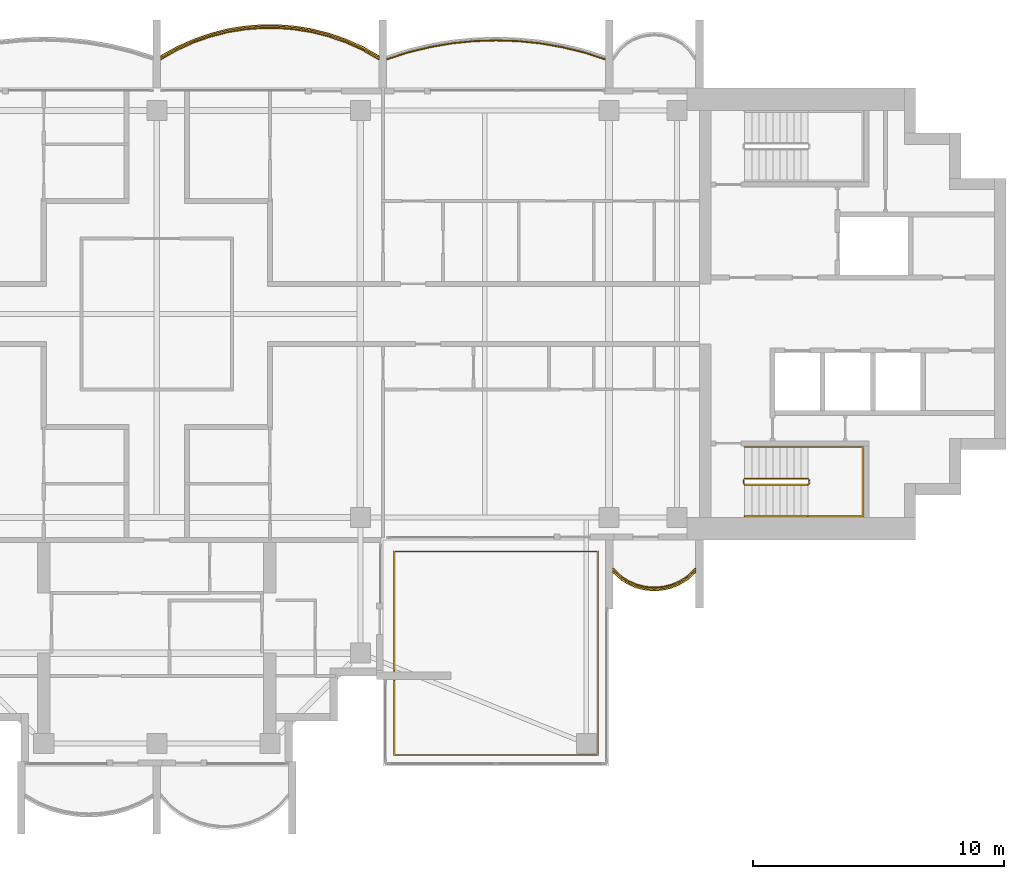
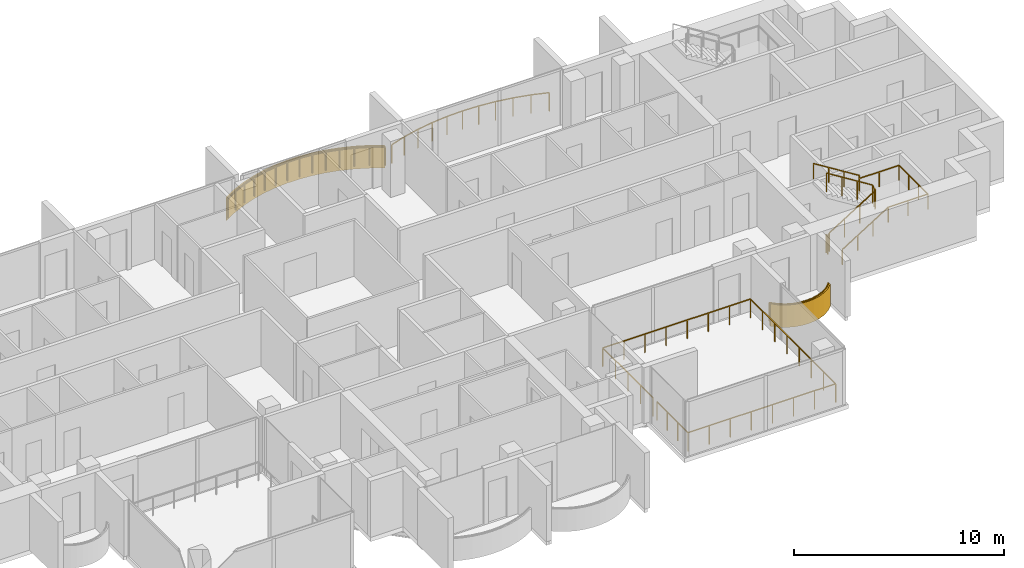
# One storey, part 15 of 16: 6 railings, 2 coverings.
"""IFC4 building model written with IfcOpenShell, lengths in metres."""

from ifc_helpers import new_model, si_unit, direction, frame, origin, origin_2d, place, context, subcontext, project, spatial, polyline, rectangle, outline, extrude, material, layer, layer_set, type_object, element, save


model = new_model("IFC4")

# Units and contexts
model_context = context("Model", 3, precision=1e-05, world=origin(), true_north=direction((0.0, 1.0)))
body_context = subcontext(model_context, "Body", "Model", "MODEL_VIEW")
ifc_project = project(units=[si_unit("LENGTHUNIT", "METRE"), si_unit("AREAUNIT", "SQUARE_METRE"), si_unit("VOLUMEUNIT", "CUBIC_METRE"), si_unit("PLANEANGLEUNIT", "RADIAN"), si_unit("MASSUNIT", "GRAM", prefix="KILO")], contexts=[model_context])

# Site, building, storey
site_placement = place(None, origin())
site = spatial("IfcSite", under=ifc_project, at=site_placement, CompositionType="ELEMENT")
building_placement = place(site_placement, origin())
building = spatial("IfcBuilding", under=site, at=building_placement, Name="Perihelion Cross Residences", CompositionType="ELEMENT")
storey_placement = place(building_placement, frame((0.0, 0.0, 236.0)))
storey = spatial("IfcBuildingStorey", under=building, at=storey_placement, Name="L59", CompositionType="ELEMENT", Elevation=236.0)

# Coverings
ifc_material_1 = material(Name="Bronze anodised aluminium", Category="aluminium")
ifc_layer = layer(ifc_material_1, 0.070068359375)
ifc_layer_set = layer_set([ifc_layer], Name="Balcony fascia 1300")
covering_type = type_object("IfcCoveringType", Name="Balcony fascia 1300", PredefinedType="CLADDING", material=ifc_layer_set)
covering_1_placement = place(storey_placement, frame((0.0, 0.0, -0.199951171875)))
element("IfcCovering", 1, at=covering_1_placement, inside=storey, type_object=covering_type, Name="Fascia BF1 L59 north side east bay 1", PredefinedType="CLADDING", context=body_context, shape_type="SweptSolid", body=[
    extrude(outline(polyline([(8.212158203125, 10.63916015625), (7.537353515625, 10.941650390625), (6.8623046875, 11.175048828125), (6.1875, 11.345947265625), (5.512451171875, 11.457763671875), (4.83740234375, 11.51318359375), (4.16259765625, 11.51318359375), (3.487548828125, 11.457763671875), (2.8125, 11.345947265625), (2.1376953125, 11.175048828125), (1.462646484375, 10.941650390625), (0.787841796875, 10.63916015625), (0.14990234375, 10.2802734375), (0.14990234375, 10.199951171875), (0.8193359375, 10.57666015625), (1.488525390625, 10.87646484375), (2.15771484375, 11.108154296875), (2.826904296875, 11.27734375), (3.49609375, 11.38818359375), (4.165283203125, 11.443115234375), (4.834716796875, 11.443115234375), (5.50390625, 11.38818359375), (6.173095703125, 11.27734375), (6.84228515625, 11.108154296875), (7.511474609375, 10.87646484375), (8.1806640625, 10.57666015625), (8.85009765625, 10.199951171875), (8.85009765625, 10.2802734375), (8.212158203125, 10.63916015625)])), origin(), (0.0, 0.0, 1.0), 1.300048828125),
])
covering_2_placement = place(storey_placement, frame((0.0, 0.0, -0.199951171875)))
element("IfcCovering", 2, at=covering_2_placement, inside=storey, type_object=covering_type, Name="Fascia BF1 L59 east side south bay 2", PredefinedType="CLADDING", context=body_context, shape_type="SweptSolid", body=[
    extrude(outline(polyline([(18.4375, -10.56298828125), (18.778076171875, -10.77587890625), (19.11865234375, -10.914794921875), (19.45947265625, -10.994140625), (19.800048828125, -11.02001953125), (20.140625, -10.994140625), (20.481201171875, -10.914794921875), (20.82177734375, -10.77587890625), (21.16259765625, -10.56298828125), (21.449951171875, -10.295654296875), (21.449951171875, -10.199951171875), (21.1201171875, -10.507568359375), (20.7900390625, -10.71337890625), (20.4599609375, -10.84814453125), (20.1298828125, -10.925048828125), (19.800048828125, -10.949951171875), (19.469970703125, -10.925048828125), (19.139892578125, -10.84814453125), (18.81005859375, -10.71337890625), (18.47998046875, -10.507568359375), (18.14990234375, -10.199951171875), (18.14990234375, -10.295654296875), (18.4375, -10.56298828125)])), origin(), (0.0, 0.0, 1.0), 1.300048828125),
])

# Railings
ifc_material_2 = material(Name="Bronze anodised aluminium", Category="aluminium")
railing_type_1 = type_object("IfcRailingType", Name="Balcony guard 1100", PredefinedType="GUARDRAIL", material=ifc_material_2)
railing_1_placement = place(storey_placement, frame((17.824951171875, 10.139892578125, 0.0)))
element("IfcRailing", 3, at=railing_1_placement, inside=storey, type_object=railing_type_1, Name="Guard GU1 L59 east side north bay 2 balcony", PredefinedType="GUARDRAIL", context=body_context, shape_type="SweptSolid", body=[
    extrude(rectangle(XDim=0.048095703125, YDim=0.048095703125, at=origin_2d()), frame((0.0, 0.0, 1.076171875), z_axis=(-0.950777354264, 0.30987484993, 0.0), x_axis=(-0.30987484993, -0.950777354264, 0.0)), (0.0, 0.0, 1.0), 0.888671875),
    extrude(rectangle(XDim=0.048095703125, YDim=0.048095703125, at=origin_2d()), frame((-0.844970703125, 0.275390625, 1.076171875), z_axis=(-0.972146551129, 0.234373810671, 0.0), x_axis=(-0.234373810671, -0.972146551129, 0.0)), (0.0, 0.0, 1.0), 0.894775390625),
    extrude(rectangle(XDim=0.048095703125, YDim=0.048095703125, at=origin_2d()), frame((-1.71484375, 0.485107421875, 1.076171875), z_axis=(-0.985850361727, 0.167627755108, 0.0), x_axis=(-0.167627755108, -0.985850361727, 0.0)), (0.0, 0.0, 1.0), 0.882568359375),
    extrude(rectangle(XDim=0.048095703125, YDim=0.048095703125, at=origin_2d()), frame((-2.5849609375, 0.633056640625, 1.076171875), z_axis=(-0.994934368303, 0.100526627165, 0.0), x_axis=(-0.100526627165, -0.994934368303, 0.0)), (0.0, 0.0, 1.0), 0.874267578125),
    extrude(rectangle(XDim=0.048095703125, YDim=0.048095703125, at=origin_2d()), frame((-3.454833984375, 0.720947265625, 1.076171875), z_axis=(-0.999443037968, 0.0333708534, 0.0), x_axis=(-0.0333708534, -0.999443037968, 0.0)), (0.0, 0.0, 1.0), 0.87060546875),
    extrude(rectangle(XDim=0.048095703125, YDim=0.048095703125, at=origin_2d()), frame((-4.324951171875, 0.75, 1.076171875), z_axis=(-0.999443037968, -0.0333708534, 0.0), x_axis=(0.0333708534, -0.999443037968, 0.0)), (0.0, 0.0, 1.0), 0.87060546875),
    extrude(rectangle(XDim=0.048095703125, YDim=0.048095703125, at=origin_2d()), frame((-5.195068359375, 0.720947265625, 1.076171875), z_axis=(-0.994934368303, -0.100526627165, 0.0), x_axis=(0.100526627165, -0.994934368303, 0.0)), (0.0, 0.0, 1.0), 0.874267578125),
    extrude(rectangle(XDim=0.048095703125, YDim=0.048095703125, at=origin_2d()), frame((-6.06494140625, 0.633056640625, 1.076171875), z_axis=(-0.985850361727, -0.167627755108, 0.0), x_axis=(0.167627755108, -0.985850361727, 0.0)), (0.0, 0.0, 1.0), 0.882568359375),
    extrude(rectangle(XDim=0.048095703125, YDim=0.048095703125, at=origin_2d()), frame((-6.93505859375, 0.485107421875, 1.076171875), z_axis=(-0.972146551129, -0.234373810671, 0.0), x_axis=(0.234373810671, -0.972146551129, 0.0)), (0.0, 0.0, 1.0), 0.894775390625),
    extrude(rectangle(XDim=0.048095703125, YDim=0.048095703125, at=origin_2d()), frame((-7.804931640625, 0.275390625, 1.076171875), z_axis=(-0.950777354264, -0.30987484993, 0.0), x_axis=(0.30987484993, -0.950777354264, 0.0)), (0.0, 0.0, 1.0), 0.888671875),
    extrude(rectangle(XDim=0.0419921875, YDim=0.0419921875, at=origin_2d()), origin(), (0.0, 0.0, 1.0), 1.052001953125),
    extrude(rectangle(XDim=0.0419921875, YDim=0.0419921875, at=origin_2d()), frame((-0.844970703125, 0.275390625, 0.0)), (0.0, 0.0, 1.0), 1.052001953125),
    extrude(rectangle(XDim=0.0419921875, YDim=0.0419921875, at=origin_2d()), frame((-1.71484375, 0.485107421875, 0.0)), (0.0, 0.0, 1.0), 1.052001953125),
    extrude(rectangle(XDim=0.0419921875, YDim=0.0419921875, at=origin_2d()), frame((-2.5849609375, 0.633056640625, 0.0)), (0.0, 0.0, 1.0), 1.052001953125),
    extrude(rectangle(XDim=0.0419921875, YDim=0.0419921875, at=origin_2d()), frame((-3.454833984375, 0.720947265625, 0.0)), (0.0, 0.0, 1.0), 1.052001953125),
    extrude(rectangle(XDim=0.0419921875, YDim=0.0419921875, at=origin_2d()), frame((-4.324951171875, 0.75, 0.0)), (0.0, 0.0, 1.0), 1.052001953125),
    extrude(rectangle(XDim=0.0419921875, YDim=0.0419921875, at=origin_2d()), frame((-5.195068359375, 0.720947265625, 0.0)), (0.0, 0.0, 1.0), 1.052001953125),
    extrude(rectangle(XDim=0.0419921875, YDim=0.0419921875, at=origin_2d()), frame((-6.06494140625, 0.633056640625, 0.0)), (0.0, 0.0, 1.0), 1.052001953125),
    extrude(rectangle(XDim=0.0419921875, YDim=0.0419921875, at=origin_2d()), frame((-6.93505859375, 0.485107421875, 0.0)), (0.0, 0.0, 1.0), 1.052001953125),
    extrude(rectangle(XDim=0.0419921875, YDim=0.0419921875, at=origin_2d()), frame((-7.804931640625, 0.275390625, 0.0)), (0.0, 0.0, 1.0), 1.052001953125),
    extrude(rectangle(XDim=0.0419921875, YDim=0.0419921875, at=origin_2d()), frame((-8.64990234375, 0.0, 0.0)), (0.0, 0.0, 1.0), 1.052001953125),
])
railing_2_placement = place(storey_placement, frame((8.824951171875, 10.139892578125, 0.0)))
element("IfcRailing", 4, at=railing_2_placement, inside=storey, type_object=railing_type_1, Name="Guard GU1 L59 north side east bay 1 balcony", PredefinedType="GUARDRAIL", context=body_context, shape_type="SweptSolid", body=[
    extrude(rectangle(XDim=0.048095703125, YDim=0.048095703125, at=origin_2d()), frame((0.0, 0.0, 1.076171875), z_axis=(-0.863125740505, 0.504989065305, 0.0), x_axis=(-0.504989065305, -0.863125740505, 0.0)), (0.0, 0.0, 1.0), 0.746337890625),
    extrude(rectangle(XDim=0.048095703125, YDim=0.048095703125, at=origin_2d()), frame((-0.644287109375, 0.376953125, 1.076171875), z_axis=(-0.912723499295, 0.408577794103, 0.0), x_axis=(-0.408577794103, -0.912723499295, 0.0)), (0.0, 0.0, 1.0), 0.733154296875),
    extrude(rectangle(XDim=0.048095703125, YDim=0.048095703125, at=origin_2d()), frame((-1.3134765625, 0.676513671875, 1.076171875), z_axis=(-0.944965577734, 0.327169767701, 0.0), x_axis=(-0.327169767701, -0.944965577734, 0.0)), (0.0, 0.0, 1.0), 0.708251953125),
    extrude(rectangle(XDim=0.048095703125, YDim=0.048095703125, at=origin_2d()), frame((-1.982666015625, 0.908203125, 1.076171875), z_axis=(-0.96949408574, 0.245114703181, 0.0), x_axis=(-0.245114703181, -0.96949408574, 0.0)), (0.0, 0.0, 1.0), 0.690185546875),
    extrude(rectangle(XDim=0.048095703125, YDim=0.048095703125, at=origin_2d()), frame((-2.65185546875, 1.077392578125, 1.076171875), z_axis=(-0.986500713816, 0.163756959061, 0.0), x_axis=(-0.163756959061, -0.986500713816, 0.0)), (0.0, 0.0, 1.0), 0.678466796875),
    extrude(rectangle(XDim=0.048095703125, YDim=0.048095703125, at=origin_2d()), frame((-3.321044921875, 1.1884765625, 1.076171875), z_axis=(-0.996677390684, 0.081450468994, 0.0), x_axis=(-0.081450468994, -0.996677390684, 0.0)), (0.0, 0.0, 1.0), 0.67138671875),
    extrude(rectangle(XDim=0.048095703125, YDim=0.048095703125, at=origin_2d()), frame((-3.990234375, 1.2431640625, 1.076171875), z_axis=(-1.0, 0.0, 0.0), x_axis=(0.0, -1.0, 0.0)), (0.0, 0.0, 1.0), 0.66943359375),
    extrude(rectangle(XDim=0.048095703125, YDim=0.048095703125, at=origin_2d()), frame((-4.65966796875, 1.2431640625, 1.076171875), z_axis=(-0.996677390684, -0.081450468994, 0.0), x_axis=(0.081450468994, -0.996677390684, 0.0)), (0.0, 0.0, 1.0), 0.67138671875),
    extrude(rectangle(XDim=0.048095703125, YDim=0.048095703125, at=origin_2d()), frame((-5.328857421875, 1.1884765625, 1.076171875), z_axis=(-0.986500713816, -0.163756959061, 0.0), x_axis=(0.163756959061, -0.986500713816, 0.0)), (0.0, 0.0, 1.0), 0.678466796875),
    extrude(rectangle(XDim=0.048095703125, YDim=0.048095703125, at=origin_2d()), frame((-5.998046875, 1.077392578125, 1.076171875), z_axis=(-0.96949408574, -0.245114703181, 0.0), x_axis=(0.245114703181, -0.96949408574, 0.0)), (0.0, 0.0, 1.0), 0.690185546875),
    extrude(rectangle(XDim=0.048095703125, YDim=0.048095703125, at=origin_2d()), frame((-6.667236328125, 0.908203125, 1.076171875), z_axis=(-0.944965577734, -0.327169767701, 0.0), x_axis=(0.327169767701, -0.944965577734, 0.0)), (0.0, 0.0, 1.0), 0.708251953125),
    extrude(rectangle(XDim=0.048095703125, YDim=0.048095703125, at=origin_2d()), frame((-7.33642578125, 0.676513671875, 1.076171875), z_axis=(-0.912723499295, -0.408577794103, 0.0), x_axis=(0.408577794103, -0.912723499295, 0.0)), (0.0, 0.0, 1.0), 0.733154296875),
    extrude(rectangle(XDim=0.048095703125, YDim=0.048095703125, at=origin_2d()), frame((-8.005615234375, 0.376953125, 1.076171875), z_axis=(-0.863125740505, -0.504989065305, 0.0), x_axis=(0.504989065305, -0.863125740505, 0.0)), (0.0, 0.0, 1.0), 0.746337890625),
    extrude(rectangle(XDim=0.0419921875, YDim=0.0419921875, at=origin_2d()), origin(), (0.0, 0.0, 1.0), 1.052001953125),
    extrude(rectangle(XDim=0.0419921875, YDim=0.0419921875, at=origin_2d()), frame((-0.644287109375, 0.376953125, 0.0)), (0.0, 0.0, 1.0), 1.052001953125),
    extrude(rectangle(XDim=0.0419921875, YDim=0.0419921875, at=origin_2d()), frame((-1.3134765625, 0.676513671875, 0.0)), (0.0, 0.0, 1.0), 1.052001953125),
    extrude(rectangle(XDim=0.0419921875, YDim=0.0419921875, at=origin_2d()), frame((-1.982666015625, 0.908203125, 0.0)), (0.0, 0.0, 1.0), 1.052001953125),
    extrude(rectangle(XDim=0.0419921875, YDim=0.0419921875, at=origin_2d()), frame((-2.65185546875, 1.077392578125, 0.0)), (0.0, 0.0, 1.0), 1.052001953125),
    extrude(rectangle(XDim=0.0419921875, YDim=0.0419921875, at=origin_2d()), frame((-3.321044921875, 1.1884765625, 0.0)), (0.0, 0.0, 1.0), 1.052001953125),
    extrude(rectangle(XDim=0.0419921875, YDim=0.0419921875, at=origin_2d()), frame((-3.990234375, 1.2431640625, 0.0)), (0.0, 0.0, 1.0), 1.052001953125),
    extrude(rectangle(XDim=0.0419921875, YDim=0.0419921875, at=origin_2d()), frame((-4.65966796875, 1.2431640625, 0.0)), (0.0, 0.0, 1.0), 1.052001953125),
    extrude(rectangle(XDim=0.0419921875, YDim=0.0419921875, at=origin_2d()), frame((-5.328857421875, 1.1884765625, 0.0)), (0.0, 0.0, 1.0), 1.052001953125),
    extrude(rectangle(XDim=0.0419921875, YDim=0.0419921875, at=origin_2d()), frame((-5.998046875, 1.077392578125, 0.0)), (0.0, 0.0, 1.0), 1.052001953125),
    extrude(rectangle(XDim=0.0419921875, YDim=0.0419921875, at=origin_2d()), frame((-6.667236328125, 0.908203125, 0.0)), (0.0, 0.0, 1.0), 1.052001953125),
    extrude(rectangle(XDim=0.0419921875, YDim=0.0419921875, at=origin_2d()), frame((-7.33642578125, 0.676513671875, 0.0)), (0.0, 0.0, 1.0), 1.052001953125),
    extrude(rectangle(XDim=0.0419921875, YDim=0.0419921875, at=origin_2d()), frame((-8.005615234375, 0.376953125, 0.0)), (0.0, 0.0, 1.0), 1.052001953125),
    extrude(rectangle(XDim=0.0419921875, YDim=0.0419921875, at=origin_2d()), frame((-8.64990234375, 0.0, 0.0)), (0.0, 0.0, 1.0), 1.052001953125),
])
railing_3_placement = place(storey_placement, frame((18.175048828125, -10.139892578125, 0.0)))
element("IfcRailing", 5, at=railing_3_placement, inside=storey, type_object=railing_type_1, Name="Guard GU1 L59 east side south bay 2 balcony", PredefinedType="GUARDRAIL", context=body_context, shape_type="SweptSolid", body=[
    extrude(rectangle(XDim=0.048095703125, YDim=0.048095703125, at=origin_2d()), frame((0.0, 0.0, 1.076171875), z_axis=(0.703999905859, -0.710200065158, 0.0), x_axis=(0.710200065158, 0.703999905859, 0.0)), (0.0, 0.0, 1.0), 0.43310546875),
    extrude(rectangle(XDim=0.048095703125, YDim=0.048095703125, at=origin_2d()), frame((0.304931640625, -0.3076171875, 1.076171875), z_axis=(0.848280173265, -0.529547682127, 0.0), x_axis=(0.529547682127, 0.848280173265, 0.0)), (0.0, 0.0, 1.0), 0.38916015625),
    extrude(rectangle(XDim=0.048095703125, YDim=0.048095703125, at=origin_2d()), frame((0.635009765625, -0.513671875, 1.076171875), z_axis=(0.925950379976, -0.377645195682, 0.0), x_axis=(0.377645195682, 0.925950379976, 0.0)), (0.0, 0.0, 1.0), 0.356201171875),
    extrude(rectangle(XDim=0.048095703125, YDim=0.048095703125, at=origin_2d()), frame((0.96484375, -0.648193359375, 1.076171875), z_axis=(0.97391554583, -0.226910796551, 0.0), x_axis=(0.226910796551, 0.97391554583, 0.0)), (0.0, 0.0, 1.0), 0.3388671875),
    extrude(rectangle(XDim=0.048095703125, YDim=0.048095703125, at=origin_2d()), frame((1.294921875, -0.72509765625, 1.076171875), z_axis=(0.997166208737, -0.075229995038, 0.0), x_axis=(0.075229995038, 0.997166208737, 0.0)), (0.0, 0.0, 1.0), 0.3310546875),
    extrude(rectangle(XDim=0.048095703125, YDim=0.048095703125, at=origin_2d()), frame((1.625, -0.75, 1.076171875), z_axis=(0.997162029931, 0.075285364214, 0.0), x_axis=(-0.075285364214, 0.997162029931, 0.0)), (0.0, 0.0, 1.0), 0.330810546875),
    extrude(rectangle(XDim=0.048095703125, YDim=0.048095703125, at=origin_2d()), frame((1.954833984375, -0.72509765625, 1.076171875), z_axis=(0.97391554583, 0.226910796551, 0.0), x_axis=(-0.226910796551, 0.97391554583, 0.0)), (0.0, 0.0, 1.0), 0.3388671875),
    extrude(rectangle(XDim=0.048095703125, YDim=0.048095703125, at=origin_2d()), frame((2.284912109375, -0.648193359375, 1.076171875), z_axis=(0.926048033295, 0.377405670374, 0.0), x_axis=(-0.377405670374, 0.926048033295, 0.0)), (0.0, 0.0, 1.0), 0.3564453125),
    extrude(rectangle(XDim=0.048095703125, YDim=0.048095703125, at=origin_2d()), frame((2.614990234375, -0.513671875, 1.076171875), z_axis=(0.848280173265, 0.529547682127, 0.0), x_axis=(-0.529547682127, 0.848280173265, 0.0)), (0.0, 0.0, 1.0), 0.38916015625),
    extrude(rectangle(XDim=0.048095703125, YDim=0.048095703125, at=origin_2d()), frame((2.945068359375, -0.3076171875, 1.076171875), z_axis=(0.703999905859, 0.710200065158, 0.0), x_axis=(-0.710200065158, 0.703999905859, 0.0)), (0.0, 0.0, 1.0), 0.43310546875),
    extrude(rectangle(XDim=0.0419921875, YDim=0.0419921875, at=origin_2d()), origin(), (0.0, 0.0, 1.0), 1.052001953125),
    extrude(rectangle(XDim=0.0419921875, YDim=0.0419921875, at=origin_2d()), frame((0.304931640625, -0.3076171875, 0.0)), (0.0, 0.0, 1.0), 1.052001953125),
    extrude(rectangle(XDim=0.0419921875, YDim=0.0419921875, at=origin_2d()), frame((0.635009765625, -0.513671875, 0.0)), (0.0, 0.0, 1.0), 1.052001953125),
    extrude(rectangle(XDim=0.0419921875, YDim=0.0419921875, at=origin_2d()), frame((0.96484375, -0.648193359375, 0.0)), (0.0, 0.0, 1.0), 1.052001953125),
    extrude(rectangle(XDim=0.0419921875, YDim=0.0419921875, at=origin_2d()), frame((1.294921875, -0.72509765625, 0.0)), (0.0, 0.0, 1.0), 1.052001953125),
    extrude(rectangle(XDim=0.0419921875, YDim=0.0419921875, at=origin_2d()), frame((1.625, -0.75, 0.0)), (0.0, 0.0, 1.0), 1.052001953125),
    extrude(rectangle(XDim=0.0419921875, YDim=0.0419921875, at=origin_2d()), frame((1.954833984375, -0.72509765625, 0.0)), (0.0, 0.0, 1.0), 1.052001953125),
    extrude(rectangle(XDim=0.0419921875, YDim=0.0419921875, at=origin_2d()), frame((2.284912109375, -0.648193359375, 0.0)), (0.0, 0.0, 1.0), 1.052001953125),
    extrude(rectangle(XDim=0.0419921875, YDim=0.0419921875, at=origin_2d()), frame((2.614990234375, -0.513671875, 0.0)), (0.0, 0.0, 1.0), 1.052001953125),
    extrude(rectangle(XDim=0.0419921875, YDim=0.0419921875, at=origin_2d()), frame((2.945068359375, -0.3076171875, 0.0)), (0.0, 0.0, 1.0), 1.052001953125),
    extrude(rectangle(XDim=0.0419921875, YDim=0.0419921875, at=origin_2d()), frame((3.25, 0.0, 0.0)), (0.0, 0.0, 1.0), 1.052001953125),
])
railing_4_placement = place(storey_placement, frame((9.449951171875, -14.2099609375, 0.0)))
element("IfcRailing", 6, at=railing_4_placement, inside=storey, type_object=railing_type_1, Name="Guard GU1 L59 pocket south-east 1", PredefinedType="GUARDRAIL", context=body_context, shape_type="SweptSolid", body=[
    extrude(rectangle(XDim=0.048095703125, YDim=0.048095703125, at=origin_2d()), frame((0.0, 0.0, 1.076171875), z_axis=(0.0, 1.0, 0.0), x_axis=(-1.0, 0.0, 0.0)), (0.0, 0.0, 1.0), 4.760009765625),
    extrude(rectangle(XDim=0.048095703125, YDim=0.048095703125, at=origin_2d()), frame((0.0, 4.760009765625, 1.076171875), z_axis=(1.0, 0.0, 0.0), x_axis=(0.0, 1.0, 0.0)), (0.0, 0.0, 1.0), 8.10009765625),
    extrude(rectangle(XDim=0.048095703125, YDim=0.048095703125, at=origin_2d()), frame((8.10009765625, 4.760009765625, 1.076171875), z_axis=(0.0, -1.0, 0.0), x_axis=(1.0, 0.0, 0.0)), (0.0, 0.0, 1.0), 8.10009765625),
    extrude(rectangle(XDim=0.048095703125, YDim=0.048095703125, at=origin_2d()), frame((8.10009765625, -3.340087890625, 1.076171875), z_axis=(-1.0, 0.0, 0.0), x_axis=(0.0, -1.0, 0.0)), (0.0, 0.0, 1.0), 8.10009765625),
    extrude(rectangle(XDim=0.048095703125, YDim=0.048095703125, at=origin_2d()), frame((0.0, -3.340087890625, 1.076171875), z_axis=(0.0, 1.0, 0.0), x_axis=(-1.0, 0.0, 0.0)), (0.0, 0.0, 1.0), 2.9599609375),
    extrude(rectangle(XDim=0.0419921875, YDim=0.0419921875, at=origin_2d()), origin(), (0.0, 0.0, 1.0), 1.052001953125),
    extrude(rectangle(XDim=0.0419921875, YDim=0.0419921875, at=origin_2d()), frame((0.0, 1.18994140625, 0.0)), (0.0, 0.0, 1.0), 1.052001953125),
    extrude(rectangle(XDim=0.0419921875, YDim=0.0419921875, at=origin_2d()), frame((0.0, 2.3798828125, 0.0)), (0.0, 0.0, 1.0), 1.052001953125),
    extrude(rectangle(XDim=0.0419921875, YDim=0.0419921875, at=origin_2d()), frame((0.0, 3.570068359375, 0.0)), (0.0, 0.0, 1.0), 1.052001953125),
    extrude(rectangle(XDim=0.0419921875, YDim=0.0419921875, at=origin_2d()), frame((0.0, 4.760009765625, 0.0)), (0.0, 0.0, 1.0), 1.052001953125),
    extrude(rectangle(XDim=0.0419921875, YDim=0.0419921875, at=origin_2d()), frame((1.1572265625, 4.760009765625, 0.0)), (0.0, 0.0, 1.0), 1.052001953125),
    extrude(rectangle(XDim=0.0419921875, YDim=0.0419921875, at=origin_2d()), frame((2.314208984375, 4.760009765625, 0.0)), (0.0, 0.0, 1.0), 1.052001953125),
    extrude(rectangle(XDim=0.0419921875, YDim=0.0419921875, at=origin_2d()), frame((3.471435546875, 4.760009765625, 0.0)), (0.0, 0.0, 1.0), 1.052001953125),
    extrude(rectangle(XDim=0.0419921875, YDim=0.0419921875, at=origin_2d()), frame((4.628662109375, 4.760009765625, 0.0)), (0.0, 0.0, 1.0), 1.052001953125),
    extrude(rectangle(XDim=0.0419921875, YDim=0.0419921875, at=origin_2d()), frame((5.785888671875, 4.760009765625, 0.0)), (0.0, 0.0, 1.0), 1.052001953125),
    extrude(rectangle(XDim=0.0419921875, YDim=0.0419921875, at=origin_2d()), frame((6.94287109375, 4.760009765625, 0.0)), (0.0, 0.0, 1.0), 1.052001953125),
    extrude(rectangle(XDim=0.0419921875, YDim=0.0419921875, at=origin_2d()), frame((8.10009765625, 4.760009765625, 0.0)), (0.0, 0.0, 1.0), 1.052001953125),
    extrude(rectangle(XDim=0.0419921875, YDim=0.0419921875, at=origin_2d()), frame((8.10009765625, 3.602783203125, 0.0)), (0.0, 0.0, 1.0), 1.052001953125),
    extrude(rectangle(XDim=0.0419921875, YDim=0.0419921875, at=origin_2d()), frame((8.10009765625, 2.44580078125, 0.0)), (0.0, 0.0, 1.0), 1.052001953125),
    extrude(rectangle(XDim=0.0419921875, YDim=0.0419921875, at=origin_2d()), frame((8.10009765625, 1.28857421875, 0.0)), (0.0, 0.0, 1.0), 1.052001953125),
    extrude(rectangle(XDim=0.0419921875, YDim=0.0419921875, at=origin_2d()), frame((8.10009765625, 0.13134765625, 0.0)), (0.0, 0.0, 1.0), 1.052001953125),
    extrude(rectangle(XDim=0.0419921875, YDim=0.0419921875, at=origin_2d()), frame((8.10009765625, -1.02587890625, 0.0)), (0.0, 0.0, 1.0), 1.052001953125),
    extrude(rectangle(XDim=0.0419921875, YDim=0.0419921875, at=origin_2d()), frame((8.10009765625, -2.182861328125, 0.0)), (0.0, 0.0, 1.0), 1.052001953125),
    extrude(rectangle(XDim=0.0419921875, YDim=0.0419921875, at=origin_2d()), frame((8.10009765625, -3.340087890625, 0.0)), (0.0, 0.0, 1.0), 1.052001953125),
    extrude(rectangle(XDim=0.0419921875, YDim=0.0419921875, at=origin_2d()), frame((6.94287109375, -3.340087890625, 0.0)), (0.0, 0.0, 1.0), 1.052001953125),
    extrude(rectangle(XDim=0.0419921875, YDim=0.0419921875, at=origin_2d()), frame((5.785888671875, -3.340087890625, 0.0)), (0.0, 0.0, 1.0), 1.052001953125),
    extrude(rectangle(XDim=0.0419921875, YDim=0.0419921875, at=origin_2d()), frame((4.628662109375, -3.340087890625, 0.0)), (0.0, 0.0, 1.0), 1.052001953125),
    extrude(rectangle(XDim=0.0419921875, YDim=0.0419921875, at=origin_2d()), frame((3.471435546875, -3.340087890625, 0.0)), (0.0, 0.0, 1.0), 1.052001953125),
    extrude(rectangle(XDim=0.0419921875, YDim=0.0419921875, at=origin_2d()), frame((2.314208984375, -3.340087890625, 0.0)), (0.0, 0.0, 1.0), 1.052001953125),
    extrude(rectangle(XDim=0.0419921875, YDim=0.0419921875, at=origin_2d()), frame((1.1572265625, -3.340087890625, 0.0)), (0.0, 0.0, 1.0), 1.052001953125),
    extrude(rectangle(XDim=0.0419921875, YDim=0.0419921875, at=origin_2d()), frame((0.0, -3.340087890625, 0.0)), (0.0, 0.0, 1.0), 1.052001953125),
    extrude(rectangle(XDim=0.0419921875, YDim=0.0419921875, at=origin_2d()), frame((0.0, -2.353515625, 0.0)), (0.0, 0.0, 1.0), 1.052001953125),
    extrude(rectangle(XDim=0.0419921875, YDim=0.0419921875, at=origin_2d()), frame((0.0, -1.36669921875, 0.0)), (0.0, 0.0, 1.0), 1.052001953125),
    extrude(rectangle(XDim=0.0419921875, YDim=0.0419921875, at=origin_2d()), frame((0.0, -0.380126953125, 0.0)), (0.0, 0.0, 1.0), 1.052001953125),
])
ifc_material_3 = material(Name="Stainless steel", Category="steel")
railing_type_2 = type_object("IfcRailingType", Name="Stair guard 1100", PredefinedType="GUARDRAIL", material=ifc_material_3)
railing_5_placement = place(storey_placement, frame((23.35009765625, -6.60009765625, 0.0)))
element("IfcRailing", 7, at=railing_5_placement, inside=storey, type_object=railing_type_2, Name="L59 ST-E2 stair guard 1", PredefinedType="GUARDRAIL", context=body_context, shape_type="SweptSolid", body=[
    extrude(rectangle(XDim=0.048095703125, YDim=0.048095703125, at=origin_2d()), frame((0.0, 0.0, 1.076171875), z_axis=(0.0, -1.0, 0.0), x_axis=(1.0, 0.0, 0.0)), (0.0, 0.0, 1.0), 0.14990234375),
    extrude(rectangle(XDim=0.048095703125, YDim=0.048095703125, at=origin_2d()), frame((0.0, -0.14990234375, 1.076171875), z_axis=(0.263862480399, -0.265155923931, 0.927399011991), x_axis=(0.708833529934, 0.705375805398, 0.0)), (0.0, 0.0, 1.0), 0.188720703125),
    extrude(rectangle(XDim=0.048095703125, YDim=0.048095703125, at=origin_2d()), frame((0.0498046875, -0.199951171875, 1.2509765625), z_axis=(0.848007534815, 0.0, 0.529984170421), x_axis=(0.0, 1.0, 0.0)), (0.0, 0.0, 1.0), 2.9716796875),
    extrude(rectangle(XDim=0.048095703125, YDim=0.048095703125, at=origin_2d()), frame((2.56982421875, -0.199951171875, 2.826171875), z_axis=(0.707106781187, 0.707106781187, 0.0), x_axis=(-0.707106781187, 0.707106781187, 0.0)), (0.0, 0.0, 1.0), 0.07080078125),
    extrude(rectangle(XDim=0.048095703125, YDim=0.048095703125, at=origin_2d()), frame((2.619873046875, -0.14990234375, 2.826171875), z_axis=(0.0, 1.0, 0.0), x_axis=(-1.0, 0.0, 0.0)), (0.0, 0.0, 1.0), 0.14990234375),
    extrude(rectangle(XDim=0.048095703125, YDim=0.048095703125, at=origin_2d()), frame((2.619873046875, 0.0, 2.826171875), z_axis=(-0.265065253269, 0.265065253269, 0.927081885822), x_axis=(-0.707106781187, -0.707106781187, 0.0)), (0.0, 0.0, 1.0), 0.188720703125),
    extrude(rectangle(XDim=0.048095703125, YDim=0.048095703125, at=origin_2d()), frame((2.56982421875, 0.050048828125, 3.0009765625), z_axis=(-0.848007534815, 0.0, 0.529984170421), x_axis=(0.0, -1.0, 0.0)), (0.0, 0.0, 1.0), 2.9716796875),
    extrude(rectangle(XDim=0.0419921875, YDim=0.0419921875, at=origin_2d()), origin(), (0.0, 0.0, 1.0), 1.052001953125),
    extrude(rectangle(XDim=0.0419921875, YDim=0.0419921875, at=origin_2d()), frame((0.0, -0.14990234375, 0.0)), (0.0, 0.0, 1.0), 1.052001953125),
    extrude(rectangle(XDim=0.0419921875, YDim=0.0419921875, at=origin_2d()), frame((0.0498046875, -0.199951171875, 0.175048828125)), (0.0, 0.0, 1.0), 1.052001953125),
    extrude(rectangle(XDim=0.0419921875, YDim=0.0419921875, at=origin_2d()), frame((0.889892578125, -0.199951171875, 0.699951171875)), (0.0, 0.0, 1.0), 1.052001953125),
    extrude(rectangle(XDim=0.0419921875, YDim=0.0419921875, at=origin_2d()), frame((1.729736328125, -0.199951171875, 1.22509765625)), (0.0, 0.0, 1.0), 1.052001953125),
    extrude(rectangle(XDim=0.0419921875, YDim=0.0419921875, at=origin_2d()), frame((2.56982421875, -0.199951171875, 1.75)), (0.0, 0.0, 1.0), 1.052001953125),
    extrude(rectangle(XDim=0.0419921875, YDim=0.0419921875, at=origin_2d()), frame((2.619873046875, -0.14990234375, 1.75)), (0.0, 0.0, 1.0), 1.052001953125),
    extrude(rectangle(XDim=0.0419921875, YDim=0.0419921875, at=origin_2d()), frame((2.619873046875, 0.0, 1.75)), (0.0, 0.0, 1.0), 1.052001953125),
    extrude(rectangle(XDim=0.0419921875, YDim=0.0419921875, at=origin_2d()), frame((2.56982421875, 0.050048828125, 1.925048828125)), (0.0, 0.0, 1.0), 1.052001953125),
    extrude(rectangle(XDim=0.0419921875, YDim=0.0419921875, at=origin_2d()), frame((1.729736328125, 0.050048828125, 2.449951171875)), (0.0, 0.0, 1.0), 1.052001953125),
    extrude(rectangle(XDim=0.0419921875, YDim=0.0419921875, at=origin_2d()), frame((0.889892578125, 0.050048828125, 2.97509765625)), (0.0, 0.0, 1.0), 1.052001953125),
    extrude(rectangle(XDim=0.0419921875, YDim=0.0419921875, at=origin_2d()), frame((0.0498046875, 0.050048828125, 3.5)), (0.0, 0.0, 1.0), 1.052001953125),
])
ifc_material_4 = material(Name="Stainless steel", Category="steel")
railing_type_3 = type_object("IfcRailingType", Name="Stair handrail 900", PredefinedType="HANDRAIL", material=ifc_material_4)
railing_6_placement = place(storey_placement, frame((23.39990234375, -8.050048828125, 0.175048828125)))
element("IfcRailing", 8, at=railing_6_placement, inside=storey, type_object=railing_type_3, Name="L59 ST-E2 stair handrail 1", PredefinedType="HANDRAIL", context=body_context, shape_type="SweptSolid", body=[
    extrude(rectangle(XDim=0.048095703125, YDim=0.048095703125, at=origin_2d()), frame((0.0, 0.0, 0.8759765625), z_axis=(0.848007534815, 0.0, 0.529984170421), x_axis=(0.0, 1.0, 0.0)), (0.0, 0.0, 1.0), 2.9716796875),
    extrude(rectangle(XDim=0.048095703125, YDim=0.048095703125, at=origin_2d()), frame((2.52001953125, 0.0, 2.45068359375), z_axis=(1.0, 0.0, 0.0), x_axis=(0.0, 1.0, 0.0)), (0.0, 0.0, 1.0), 2.18017578125),
    extrude(rectangle(XDim=0.048095703125, YDim=0.048095703125, at=origin_2d()), frame((4.7001953125, 0.0, 2.45068359375), z_axis=(0.0, 1.0, 0.0), x_axis=(-1.0, 0.0, 0.0)), (0.0, 0.0, 1.0), 2.75),
    extrude(rectangle(XDim=0.048095703125, YDim=0.048095703125, at=origin_2d()), frame((4.7001953125, 2.75, 2.45068359375), z_axis=(-1.0, 0.0, 0.0), x_axis=(0.0, -1.0, 0.0)), (0.0, 0.0, 1.0), 2.18017578125),
    extrude(rectangle(XDim=0.048095703125, YDim=0.048095703125, at=origin_2d()), frame((2.52001953125, 2.75, 2.45068359375), z_axis=(0.0, 0.0, 1.0), x_axis=(1.0, 0.0, 0.0)), (0.0, 0.0, 1.0), 0.175048828125),
    extrude(rectangle(XDim=0.048095703125, YDim=0.048095703125, at=origin_2d()), frame((2.52001953125, 2.75, 2.6259765625), z_axis=(-0.848007534815, 0.0, 0.529984170421), x_axis=(0.0, -1.0, 0.0)), (0.0, 0.0, 1.0), 2.9716796875),
    extrude(rectangle(XDim=0.0419921875, YDim=0.0419921875, at=origin_2d()), origin(), (0.0, 0.0, 1.0), 0.851806640625),
    extrude(rectangle(XDim=0.0419921875, YDim=0.0419921875, at=origin_2d()), frame((0.840087890625, 0.0, 0.52490234375)), (0.0, 0.0, 1.0), 0.851806640625),
    extrude(rectangle(XDim=0.0419921875, YDim=0.0419921875, at=origin_2d()), frame((1.679931640625, 0.0, 1.050048828125)), (0.0, 0.0, 1.0), 0.851806640625),
    extrude(rectangle(XDim=0.0419921875, YDim=0.0419921875, at=origin_2d()), frame((2.52001953125, 0.0, 1.574951171875)), (0.0, 0.0, 1.0), 0.851806640625),
    extrude(rectangle(XDim=0.0419921875, YDim=0.0419921875, at=origin_2d()), frame((3.610107421875, 0.0, 1.574951171875)), (0.0, 0.0, 1.0), 0.851806640625),
    extrude(rectangle(XDim=0.0419921875, YDim=0.0419921875, at=origin_2d()), frame((4.7001953125, 0.0, 1.574951171875)), (0.0, 0.0, 1.0), 0.851806640625),
    extrude(rectangle(XDim=0.0419921875, YDim=0.0419921875, at=origin_2d()), frame((4.7001953125, 0.916748046875, 1.574951171875)), (0.0, 0.0, 1.0), 0.851806640625),
    extrude(rectangle(XDim=0.0419921875, YDim=0.0419921875, at=origin_2d()), frame((4.7001953125, 1.833251953125, 1.574951171875)), (0.0, 0.0, 1.0), 0.851806640625),
    extrude(rectangle(XDim=0.0419921875, YDim=0.0419921875, at=origin_2d()), frame((4.7001953125, 2.75, 1.574951171875)), (0.0, 0.0, 1.0), 0.851806640625),
    extrude(rectangle(XDim=0.0419921875, YDim=0.0419921875, at=origin_2d()), frame((3.610107421875, 2.75, 1.574951171875)), (0.0, 0.0, 1.0), 0.851806640625),
    extrude(rectangle(XDim=0.0419921875, YDim=0.0419921875, at=origin_2d()), frame((2.52001953125, 2.75, 1.574951171875)), (0.0, 0.0, 1.0), 0.851806640625),
    extrude(rectangle(XDim=0.0419921875, YDim=0.0419921875, at=origin_2d()), frame((2.52001953125, 2.75, 1.75)), (0.0, 0.0, 1.0), 0.851806640625),
    extrude(rectangle(XDim=0.0419921875, YDim=0.0419921875, at=origin_2d()), frame((1.679931640625, 2.75, 2.27490234375)), (0.0, 0.0, 1.0), 0.851806640625),
    extrude(rectangle(XDim=0.0419921875, YDim=0.0419921875, at=origin_2d()), frame((0.840087890625, 2.75, 2.800048828125)), (0.0, 0.0, 1.0), 0.851806640625),
    extrude(rectangle(XDim=0.0419921875, YDim=0.0419921875, at=origin_2d()), frame((0.0, 2.75, 3.324951171875)), (0.0, 0.0, 1.0), 0.851806640625),
])

save(model, "model.ifc")
